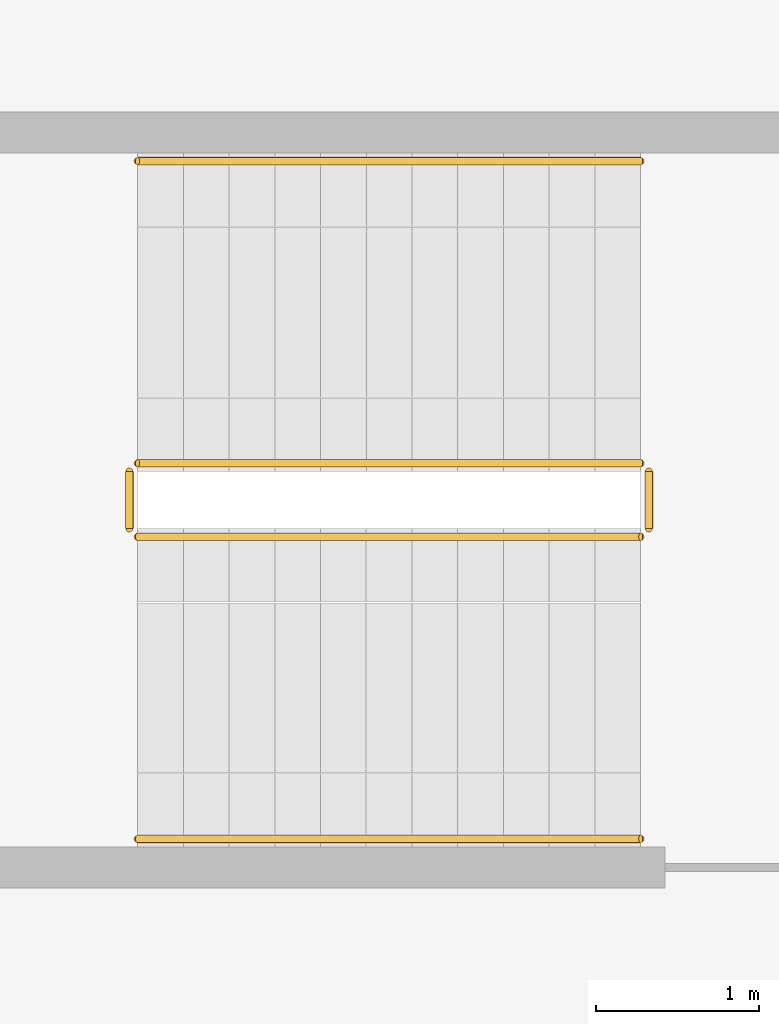
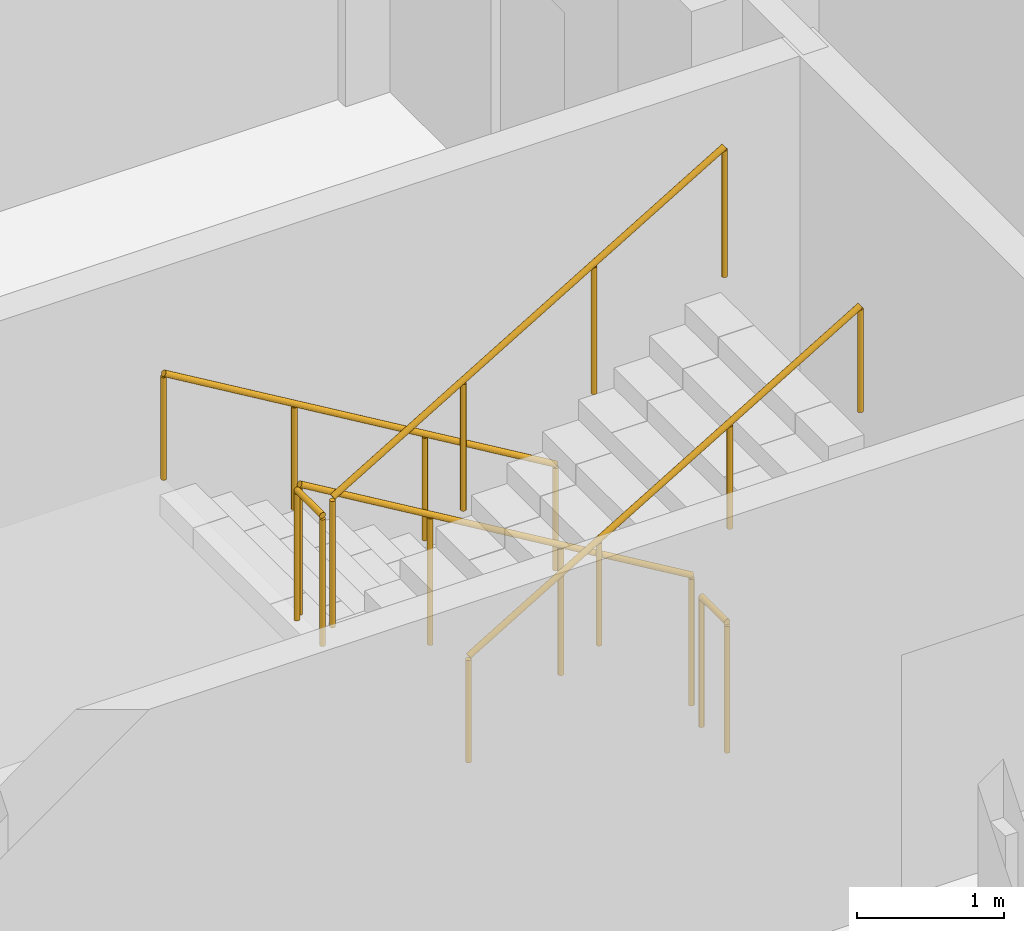
# One storey, part 15 of 15: 1 railing.
"""IFC4 building model written with IfcOpenShell, lengths in metres."""

from ifc_helpers import new_model, si_unit, direction, frame, origin, origin_2d, place, context, subcontext, project, spatial, circle, extrude, material, type_object, element, save


model = new_model("IFC4")

# Units and contexts
model_context = context("Model", 3, precision=1e-05, world=origin(), true_north=direction((0.0, 1.0)))
body_context = subcontext(model_context, "Body", "Model", "MODEL_VIEW")
ifc_project = project(units=[si_unit("LENGTHUNIT", "METRE"), si_unit("AREAUNIT", "SQUARE_METRE"), si_unit("VOLUMEUNIT", "CUBIC_METRE"), si_unit("PLANEANGLEUNIT", "RADIAN"), si_unit("MASSUNIT", "GRAM", prefix="KILO")], contexts=[model_context])

# Site, building, storey
site_placement = place(None, origin())
site = spatial("IfcSite", under=ifc_project, at=site_placement, CompositionType="ELEMENT")
building_placement = place(site_placement, origin())
building = spatial("IfcBuilding", under=site, at=building_placement, Name="Corbelhall Arena Tower", CompositionType="ELEMENT")
storey_placement = place(building_placement, frame((0.0, 0.0, 208.0)))
storey = spatial("IfcBuildingStorey", under=building, at=storey_placement, Name="L43", CompositionType="ELEMENT", Elevation=208.0)

# Railing
ifc_material = material(Name="Steel ASTM A500 Gr C", Category="steel")
railing_type = type_object("IfcRailingType", Name="IN-GD-1100", PredefinedType="GUARDRAIL", material=ifc_material)
railing_placement = place(storey_placement, frame((11.425048828125, 14.77490234375, 0.166748046875)))
element("IfcRailing", 1, at=railing_placement, inside=storey, type_object=railing_type, Name="L43 ST3 stair guards and handrails", PredefinedType="GUARDRAIL", context=body_context, shape_type="SweptSolid", body=[
    extrude(circle(Radius=0.02392578125, at=origin_2d()), frame((0.0, 0.0, 1.076171875), z_axis=(-0.859308565015, 0.0, 0.511457515432), x_axis=(0.0, -1.0, 0.0)), (0.0, 0.0, 1.0), 3.58447265625),
    extrude(circle(Radius=0.02392578125, at=origin_2d()), frame((-3.130126953125, -0.0498046875, 2.9091796875), z_axis=(0.0, -1.0, 0.0), x_axis=(1.0, 0.0, 0.0)), (0.0, 0.0, 1.0), 0.35009765625),
    extrude(circle(Radius=0.02392578125, at=origin_2d()), frame((-3.080078125, -0.449951171875, 3.076171875), z_axis=(0.859308565015, 0.0, 0.511457515432), x_axis=(0.0, 1.0, 0.0)), (0.0, 0.0, 1.0), 3.58447265625),
    extrude(circle(Radius=0.02392578125, at=origin_2d()), frame((0.050048828125, -0.0498046875, 0.9091796875), z_axis=(0.0, -1.0, 0.0), x_axis=(1.0, 0.0, 0.0)), (0.0, 0.0, 1.0), 0.35009765625),
    extrude(circle(Radius=0.02392578125, at=origin_2d()), frame((0.0, 1.85009765625, 0.8759765625), z_axis=(-0.859308565015, 0.0, 0.511457515432), x_axis=(0.0, -1.0, 0.0)), (0.0, 0.0, 1.0), 3.58447265625),
    extrude(circle(Radius=0.02392578125, at=origin_2d()), frame((-3.080078125, -2.2998046875, 2.8759765625), z_axis=(0.859308565015, 0.0, 0.511457515432), x_axis=(0.0, 1.0, 0.0)), (0.0, 0.0, 1.0), 3.58447265625),
    extrude(circle(Radius=0.02099609375, at=origin_2d()), origin(), (0.0, 0.0, 1.0), 1.052001953125),
    extrude(circle(Radius=0.02099609375, at=origin_2d()), frame((-1.026611328125, 0.0, 0.611083984375)), (0.0, 0.0, 1.0), 1.052001953125),
    extrude(circle(Radius=0.02099609375, at=origin_2d()), frame((-2.053466796875, 0.0, 1.22216796875)), (0.0, 0.0, 1.0), 1.052001953125),
    extrude(circle(Radius=0.02099609375, at=origin_2d()), frame((-3.080078125, 0.0, 1.833251953125)), (0.0, 0.0, 1.0), 1.052001953125),
    extrude(circle(Radius=0.02099609375, at=origin_2d()), frame((-3.130126953125, -0.0498046875, 1.833251953125)), (0.0, 0.0, 1.0), 1.052001953125),
    extrude(circle(Radius=0.02099609375, at=origin_2d()), frame((-3.130126953125, -0.39990234375, 1.833251953125)), (0.0, 0.0, 1.0), 1.052001953125),
    extrude(circle(Radius=0.02099609375, at=origin_2d()), frame((-3.080078125, -0.449951171875, 2.0)), (0.0, 0.0, 1.0), 1.052001953125),
    extrude(circle(Radius=0.02099609375, at=origin_2d()), frame((-2.053466796875, -0.449951171875, 2.611083984375)), (0.0, 0.0, 1.0), 1.052001953125),
    extrude(circle(Radius=0.02099609375, at=origin_2d()), frame((-1.026611328125, -0.449951171875, 3.22216796875)), (0.0, 0.0, 1.0), 1.052001953125),
    extrude(circle(Radius=0.02099609375, at=origin_2d()), frame((0.0, -0.449951171875, 3.833251953125)), (0.0, 0.0, 1.0), 1.052001953125),
    extrude(circle(Radius=0.02099609375, at=origin_2d()), frame((0.050048828125, -0.0498046875, -0.166748046875)), (0.0, 0.0, 1.0), 1.052001953125),
    extrude(circle(Radius=0.02099609375, at=origin_2d()), frame((0.050048828125, -0.39990234375, -0.166748046875)), (0.0, 0.0, 1.0), 1.052001953125),
    extrude(circle(Radius=0.02099609375, at=origin_2d()), frame((0.0, 1.85009765625, 0.0)), (0.0, 0.0, 1.0), 0.851806640625),
    extrude(circle(Radius=0.02099609375, at=origin_2d()), frame((-1.026611328125, 1.85009765625, 0.611083984375)), (0.0, 0.0, 1.0), 0.851806640625),
    extrude(circle(Radius=0.02099609375, at=origin_2d()), frame((-2.053466796875, 1.85009765625, 1.22216796875)), (0.0, 0.0, 1.0), 0.851806640625),
    extrude(circle(Radius=0.02099609375, at=origin_2d()), frame((-3.080078125, 1.85009765625, 1.833251953125)), (0.0, 0.0, 1.0), 0.851806640625),
    extrude(circle(Radius=0.02099609375, at=origin_2d()), frame((-3.080078125, -2.2998046875, 2.0)), (0.0, 0.0, 1.0), 0.851806640625),
    extrude(circle(Radius=0.02099609375, at=origin_2d()), frame((-2.053466796875, -2.2998046875, 2.611083984375)), (0.0, 0.0, 1.0), 0.851806640625),
    extrude(circle(Radius=0.02099609375, at=origin_2d()), frame((-1.026611328125, -2.2998046875, 3.22216796875)), (0.0, 0.0, 1.0), 0.851806640625),
    extrude(circle(Radius=0.02099609375, at=origin_2d()), frame((0.0, -2.2998046875, 3.833251953125)), (0.0, 0.0, 1.0), 0.851806640625),
])

save(model, "model.ifc")
